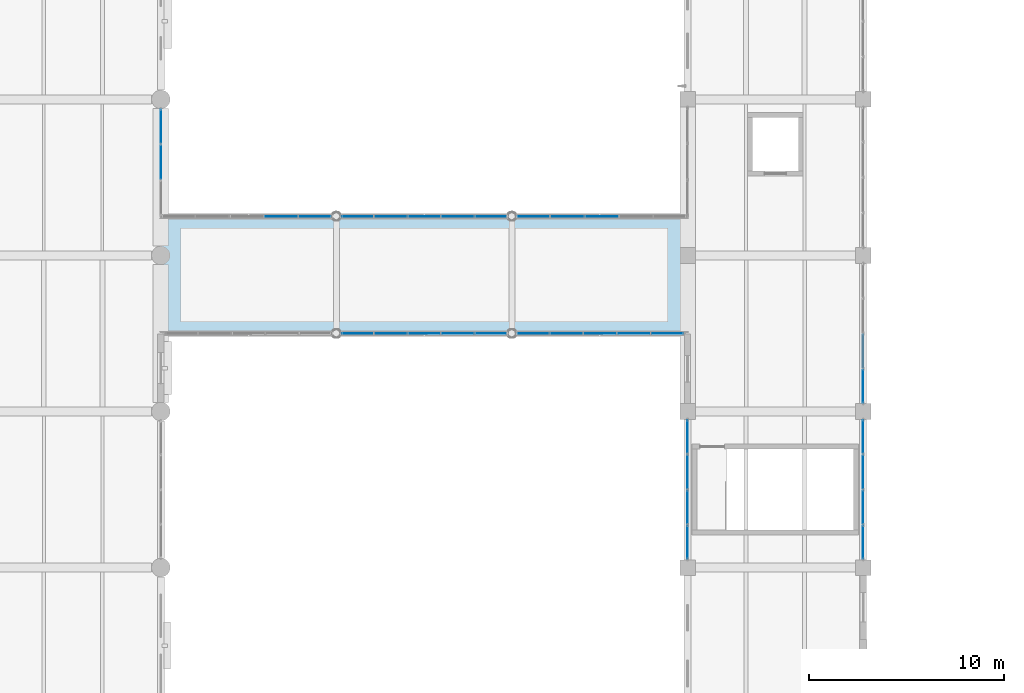
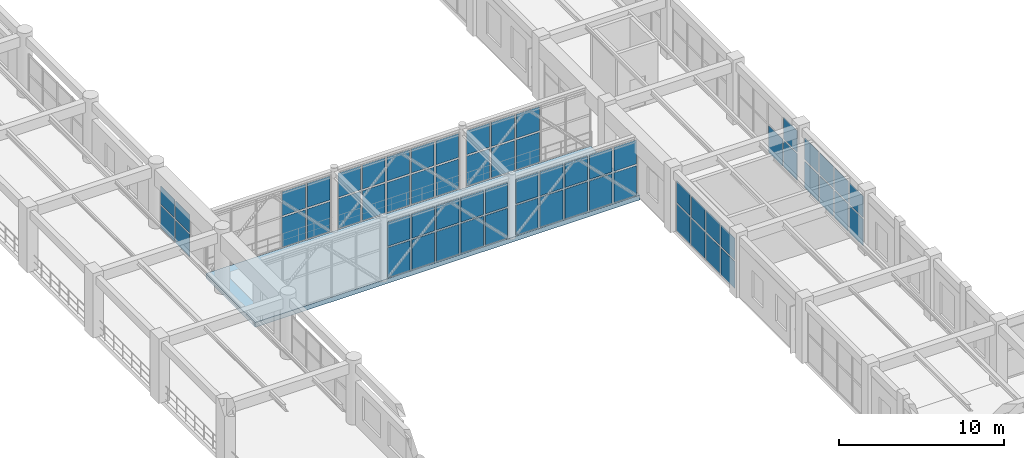
# One storey, part 143 of 178: 63 plates, 1 slab, 9 elements without a shape of their own.
"""IFC4 building model written with IfcOpenShell, lengths in metres."""

from ifc_helpers import new_model, si_unit, derived_unit, direction, frame, origin, origin_2d, place, context, subcontext, project, spatial, polyline, rectangle, outline, extrude, material, layer, layer_set, type_object, element, aggregate, save


model = new_model("IFC4")

# Units and contexts
model_context = context("Model", 3, precision=1e-05, world=origin(), true_north=direction((0.0, 1.0)))
body_context = subcontext(model_context, "Body", "Model", "MODEL_VIEW")
ifc_project = project(units=[si_unit("LENGTHUNIT", "METRE"), si_unit("AREAUNIT", "SQUARE_METRE"), si_unit("VOLUMEUNIT", "CUBIC_METRE"), si_unit("PLANEANGLEUNIT", "RADIAN"), si_unit("MASSUNIT", "GRAM", prefix="KILO"), derived_unit("THERMALTRANSMITTANCEUNIT", [(si_unit("MASSUNIT", "GRAM", prefix="KILO"), 1), (si_unit("TIMEUNIT", "SECOND"), -3), (si_unit("THERMODYNAMICTEMPERATUREUNIT", "KELVIN"), -1)])], contexts=[model_context])

# Site, building, storey
site_placement = place(None, origin())
site = spatial("IfcSite", under=ifc_project, at=site_placement, CompositionType="ELEMENT")
building_placement = place(site_placement, origin())
building = spatial("IfcBuilding", under=site, at=building_placement, Name="Zhenchuan Archway Interchange", CompositionType="ELEMENT")
storey_placement = place(building_placement, frame((0.0, 0.0, 5.39990234375)))
storey = spatial("IfcBuildingStorey", under=building, at=storey_placement, Name="L01", CompositionType="ELEMENT", Elevation=5.39990234375)

# Curtain wall, plates
ifc_material_1 = material(Name="Anodised Aluminium", Category="aluminium")
curtain_wall_type_1 = type_object("IfcCurtainWallType", Name="CW_UNIT_1", PredefinedType="NOTDEFINED", material=ifc_material_1)
curtain_wall_1_placement = place(storey_placement, origin())
curtain_wall_1 = element("IfcCurtainWall", 1, at=curtain_wall_1_placement, inside=storey, type_object=curtain_wall_type_1, Name="Unitised curtain wall CW:L01:056", PredefinedType="NOTDEFINED")
ifc_material_2 = material(Name="Double Low-E Insulated Glazing", Category="glass")
ifc_layer_1 = layer(ifc_material_2, 0.028076171875)
ifc_layer_set_1 = layer_set([ifc_layer_1], Name="Double Low-E Insulated Glazing")
plate_type_1 = type_object("IfcPlateType", Name="CW_GLZ_1", PredefinedType="CURTAIN_PANEL", material=ifc_layer_set_1)
plate_1_placement = place(storey_placement, frame((82.06640625, 58.0, 0.080078125), z_axis=(0.0, 0.0, 1.0), x_axis=(1.0, 0.0, 0.0)))
plate_1 = element("IfcPlate", 2, at=plate_1_placement, type_object=plate_type_1, Name="CW:L01:056 lower glazing panel 0", PredefinedType="CURTAIN_PANEL", context=body_context, shape_type="SweptSolid", body=[
    extrude(rectangle(XDim=1.561767578125, YDim=0.028076171875, at=origin_2d()), origin(), (0.0, 0.0, 1.0), 2.214111328125),
])
plate_2_placement = place(storey_placement, frame((83.7783203125, 58.0, 0.080078125), z_axis=(0.0, 0.0, 1.0), x_axis=(1.0, 0.0, 0.0)))
plate_2 = element("IfcPlate", 3, at=plate_2_placement, type_object=plate_type_1, Name="CW:L01:056 lower glazing panel 1", PredefinedType="CURTAIN_PANEL", context=body_context, shape_type="SweptSolid", body=[
    extrude(rectangle(XDim=1.581787109375, YDim=0.028076171875, at=origin_2d()), origin(), (0.0, 0.0, 1.0), 2.214111328125),
])
plate_3_placement = place(storey_placement, frame((85.5, 58.0, 0.080078125), z_axis=(0.0, 0.0, 1.0), x_axis=(1.0, 0.0, 0.0)))
plate_3 = element("IfcPlate", 4, at=plate_3_placement, type_object=plate_type_1, Name="CW:L01:056 lower glazing panel 2", PredefinedType="CURTAIN_PANEL", context=body_context, shape_type="SweptSolid", body=[
    extrude(rectangle(XDim=1.581787109375, YDim=0.028076171875, at=origin_2d()), origin(), (0.0, 0.0, 1.0), 2.214111328125),
])
plate_4_placement = place(storey_placement, frame((87.2216796875, 58.0, 0.080078125), z_axis=(0.0, 0.0, 1.0), x_axis=(1.0, 0.0, 0.0)))
plate_4 = element("IfcPlate", 5, at=plate_4_placement, type_object=plate_type_1, Name="CW:L01:056 lower glazing panel 3", PredefinedType="CURTAIN_PANEL", context=body_context, shape_type="SweptSolid", body=[
    extrude(rectangle(XDim=1.581787109375, YDim=0.028076171875, at=origin_2d()), origin(), (0.0, 0.0, 1.0), 2.214111328125),
])
plate_5_placement = place(storey_placement, frame((88.93359375, 58.0, 0.080078125), z_axis=(0.0, 0.0, 1.0), x_axis=(1.0, 0.0, 0.0)))
plate_5 = element("IfcPlate", 6, at=plate_5_placement, type_object=plate_type_1, Name="CW:L01:056 lower glazing panel 4", PredefinedType="CURTAIN_PANEL", context=body_context, shape_type="SweptSolid", body=[
    extrude(rectangle(XDim=1.561767578125, YDim=0.028076171875, at=origin_2d()), origin(), (0.0, 0.0, 1.0), 2.214111328125),
])

curtain_wall_type_2 = type_object("IfcCurtainWallType", Name="CW_UNIT_4", PredefinedType="NOTDEFINED", material=ifc_material_1)
curtain_wall_2_placement = place(storey_placement, origin())
curtain_wall_2 = element("IfcCurtainWall", 7, at=curtain_wall_2_placement, inside=storey, type_object=curtain_wall_type_2, Name="Unitised curtain wall CW:L01:075", PredefinedType="NOTDEFINED")
plate_6_placement = place(storey_placement, frame((97.965576171875, 52.0, 0.080078125), z_axis=(0.0, 0.0, 1.0), x_axis=(-1.0, 0.0, 0.0)))
plate_6 = element("IfcPlate", 8, at=plate_6_placement, type_object=plate_type_1, Name="CW:L01:075 lower glazing panel 0", PredefinedType="CURTAIN_PANEL", context=body_context, shape_type="SweptSolid", body=[
    extrude(rectangle(XDim=1.56884765625, YDim=0.028076171875, at=origin_2d()), origin(), (0.0, 0.0, 1.0), 2.214111328125),
])
plate_7_placement = place(storey_placement, frame((96.24658203125, 52.0, 0.080078125), z_axis=(0.0, 0.0, 1.0), x_axis=(-1.0, 0.0, 0.0)))
plate_7 = element("IfcPlate", 9, at=plate_7_placement, type_object=plate_type_1, Name="CW:L01:075 lower glazing panel 1", PredefinedType="CURTAIN_PANEL", context=body_context, shape_type="SweptSolid", body=[
    extrude(rectangle(XDim=1.5888671875, YDim=0.028076171875, at=origin_2d()), origin(), (0.0, 0.0, 1.0), 2.214111328125),
])
plate_8_placement = place(storey_placement, frame((94.517578125, 52.0, 0.080078125), z_axis=(0.0, 0.0, 1.0), x_axis=(-1.0, 0.0, 0.0)))
plate_8 = element("IfcPlate", 10, at=plate_8_placement, type_object=plate_type_1, Name="CW:L01:075 lower glazing panel 2", PredefinedType="CURTAIN_PANEL", context=body_context, shape_type="SweptSolid", body=[
    extrude(rectangle(XDim=1.5888671875, YDim=0.028076171875, at=origin_2d()), origin(), (0.0, 0.0, 1.0), 2.214111328125),
])
plate_9_placement = place(storey_placement, frame((92.788818359375, 52.0, 0.080078125), z_axis=(0.0, 0.0, 1.0), x_axis=(-1.0, 0.0, 0.0)))
plate_9 = element("IfcPlate", 11, at=plate_9_placement, type_object=plate_type_1, Name="CW:L01:075 lower glazing panel 3", PredefinedType="CURTAIN_PANEL", context=body_context, shape_type="SweptSolid", body=[
    extrude(rectangle(XDim=1.5888671875, YDim=0.028076171875, at=origin_2d()), origin(), (0.0, 0.0, 1.0), 2.214111328125),
])
plate_10_placement = place(storey_placement, frame((91.06982421875, 52.0, 0.080078125), z_axis=(0.0, 0.0, 1.0), x_axis=(-1.0, 0.0, 0.0)))
plate_10 = element("IfcPlate", 12, at=plate_10_placement, type_object=plate_type_1, Name="CW:L01:075 lower glazing panel 4", PredefinedType="CURTAIN_PANEL", context=body_context, shape_type="SweptSolid", body=[
    extrude(rectangle(XDim=1.56884765625, YDim=0.028076171875, at=origin_2d()), origin(), (0.0, 0.0, 1.0), 2.214111328125),
])

curtain_wall_3_placement = place(storey_placement, origin())
curtain_wall_3 = element("IfcCurtainWall", 13, at=curtain_wall_3_placement, inside=storey, type_object=curtain_wall_type_1, Name="Unitised curtain wall CW:L01:076", PredefinedType="NOTDEFINED")
plate_11_placement = place(storey_placement, frame((88.93359375, 52.0, 0.080078125), z_axis=(0.0, 0.0, 1.0), x_axis=(-1.0, 0.0, 0.0)))
plate_11 = element("IfcPlate", 14, at=plate_11_placement, type_object=plate_type_1, Name="CW:L01:076 lower glazing panel 0", PredefinedType="CURTAIN_PANEL", context=body_context, shape_type="SweptSolid", body=[
    extrude(rectangle(XDim=1.561767578125, YDim=0.028076171875, at=origin_2d()), origin(), (0.0, 0.0, 1.0), 2.214111328125),
])
plate_12_placement = place(storey_placement, frame((87.2216796875, 52.0, 0.080078125), z_axis=(0.0, 0.0, 1.0), x_axis=(-1.0, 0.0, 0.0)))
plate_12 = element("IfcPlate", 15, at=plate_12_placement, type_object=plate_type_1, Name="CW:L01:076 lower glazing panel 1", PredefinedType="CURTAIN_PANEL", context=body_context, shape_type="SweptSolid", body=[
    extrude(rectangle(XDim=1.581787109375, YDim=0.028076171875, at=origin_2d()), origin(), (0.0, 0.0, 1.0), 2.214111328125),
])
plate_13_placement = place(storey_placement, frame((85.5, 52.0, 0.080078125), z_axis=(0.0, 0.0, 1.0), x_axis=(-1.0, 0.0, 0.0)))
plate_13 = element("IfcPlate", 16, at=plate_13_placement, type_object=plate_type_1, Name="CW:L01:076 lower glazing panel 2", PredefinedType="CURTAIN_PANEL", context=body_context, shape_type="SweptSolid", body=[
    extrude(rectangle(XDim=1.581787109375, YDim=0.028076171875, at=origin_2d()), origin(), (0.0, 0.0, 1.0), 2.214111328125),
])
plate_14_placement = place(storey_placement, frame((83.7783203125, 52.0, 0.080078125), z_axis=(0.0, 0.0, 1.0), x_axis=(-1.0, 0.0, 0.0)))
plate_14 = element("IfcPlate", 17, at=plate_14_placement, type_object=plate_type_1, Name="CW:L01:076 lower glazing panel 3", PredefinedType="CURTAIN_PANEL", context=body_context, shape_type="SweptSolid", body=[
    extrude(rectangle(XDim=1.581787109375, YDim=0.028076171875, at=origin_2d()), origin(), (0.0, 0.0, 1.0), 2.214111328125),
])
plate_15_placement = place(storey_placement, frame((82.06640625, 52.0, 0.080078125), z_axis=(0.0, 0.0, 1.0), x_axis=(-1.0, 0.0, 0.0)))
plate_15 = element("IfcPlate", 18, at=plate_15_placement, type_object=plate_type_1, Name="CW:L01:076 lower glazing panel 4", PredefinedType="CURTAIN_PANEL", context=body_context, shape_type="SweptSolid", body=[
    extrude(rectangle(XDim=1.561767578125, YDim=0.028076171875, at=origin_2d()), origin(), (0.0, 0.0, 1.0), 2.214111328125),
])

# Plate
ifc_layer_2 = layer(ifc_material_2, 0.02587890625)
ifc_layer_set_2 = layer_set([ifc_layer_2], Name="Double Low-E Insulated Glazing")
plate_type_2 = type_object("IfcPlateType", Name="CW_GLZ_2", PredefinedType="CURTAIN_PANEL", material=ifc_layer_set_2)
plate_16_placement = place(storey_placement, frame((82.06640625, 58.0, 2.4140625), z_axis=(0.0, 0.0, 1.0), x_axis=(1.0, 0.0, 0.0)))
plate_16 = element("IfcPlate", 19, at=plate_16_placement, type_object=plate_type_2, Name="CW:L01:056 upper glazing panel 0", PredefinedType="CURTAIN_PANEL", context=body_context, shape_type="SweptSolid", body=[
    extrude(rectangle(XDim=1.561767578125, YDim=0.02587890625, at=origin_2d()), origin(), (0.0, 0.0, 1.0), 1.785888671875),
])

plate_17_placement = place(storey_placement, frame((83.7783203125, 58.0, 2.4140625), z_axis=(0.0, 0.0, 1.0), x_axis=(1.0, 0.0, 0.0)))
plate_17 = element("IfcPlate", 20, at=plate_17_placement, type_object=plate_type_2, Name="CW:L01:056 upper glazing panel 1", PredefinedType="CURTAIN_PANEL", context=body_context, shape_type="SweptSolid", body=[
    extrude(rectangle(XDim=1.581787109375, YDim=0.02587890625, at=origin_2d()), origin(), (0.0, 0.0, 1.0), 1.785888671875),
])

plate_18_placement = place(storey_placement, frame((85.5, 58.0, 2.4140625), z_axis=(0.0, 0.0, 1.0), x_axis=(1.0, 0.0, 0.0)))
plate_18 = element("IfcPlate", 21, at=plate_18_placement, type_object=plate_type_2, Name="CW:L01:056 upper glazing panel 2", PredefinedType="CURTAIN_PANEL", context=body_context, shape_type="SweptSolid", body=[
    extrude(rectangle(XDim=1.581787109375, YDim=0.02587890625, at=origin_2d()), origin(), (0.0, 0.0, 1.0), 1.785888671875),
])

plate_19_placement = place(storey_placement, frame((87.2216796875, 58.0, 2.4140625), z_axis=(0.0, 0.0, 1.0), x_axis=(1.0, 0.0, 0.0)))
plate_19 = element("IfcPlate", 22, at=plate_19_placement, type_object=plate_type_2, Name="CW:L01:056 upper glazing panel 3", PredefinedType="CURTAIN_PANEL", context=body_context, shape_type="SweptSolid", body=[
    extrude(rectangle(XDim=1.581787109375, YDim=0.02587890625, at=origin_2d()), origin(), (0.0, 0.0, 1.0), 1.785888671875),
])

plate_20_placement = place(storey_placement, frame((88.93359375, 58.0, 2.4140625), z_axis=(0.0, 0.0, 1.0), x_axis=(1.0, 0.0, 0.0)))
plate_20 = element("IfcPlate", 23, at=plate_20_placement, type_object=plate_type_2, Name="CW:L01:056 upper glazing panel 4", PredefinedType="CURTAIN_PANEL", context=body_context, shape_type="SweptSolid", body=[
    extrude(rectangle(XDim=1.561767578125, YDim=0.02587890625, at=origin_2d()), origin(), (0.0, 0.0, 1.0), 1.785888671875),
])

aggregate(curtain_wall_1, [plate_1, plate_16, plate_2, plate_17, plate_3, plate_18, plate_4, plate_19, plate_5, plate_20])

plate_21_placement = place(storey_placement, frame((97.965576171875, 52.0, 2.4140625), z_axis=(0.0, 0.0, 1.0), x_axis=(-1.0, 0.0, 0.0)))
plate_21 = element("IfcPlate", 24, at=plate_21_placement, type_object=plate_type_2, Name="CW:L01:075 upper glazing panel 0", PredefinedType="CURTAIN_PANEL", context=body_context, shape_type="SweptSolid", body=[
    extrude(rectangle(XDim=1.56884765625, YDim=0.02587890625, at=origin_2d()), origin(), (0.0, 0.0, 1.0), 1.785888671875),
])

plate_22_placement = place(storey_placement, frame((96.24658203125, 52.0, 2.4140625), z_axis=(0.0, 0.0, 1.0), x_axis=(-1.0, 0.0, 0.0)))
plate_22 = element("IfcPlate", 25, at=plate_22_placement, type_object=plate_type_2, Name="CW:L01:075 upper glazing panel 1", PredefinedType="CURTAIN_PANEL", context=body_context, shape_type="SweptSolid", body=[
    extrude(rectangle(XDim=1.5888671875, YDim=0.02587890625, at=origin_2d()), origin(), (0.0, 0.0, 1.0), 1.785888671875),
])

plate_23_placement = place(storey_placement, frame((94.517578125, 52.0, 2.4140625), z_axis=(0.0, 0.0, 1.0), x_axis=(-1.0, 0.0, 0.0)))
plate_23 = element("IfcPlate", 26, at=plate_23_placement, type_object=plate_type_2, Name="CW:L01:075 upper glazing panel 2", PredefinedType="CURTAIN_PANEL", context=body_context, shape_type="SweptSolid", body=[
    extrude(rectangle(XDim=1.5888671875, YDim=0.02587890625, at=origin_2d()), origin(), (0.0, 0.0, 1.0), 1.785888671875),
])

plate_24_placement = place(storey_placement, frame((92.788818359375, 52.0, 2.4140625), z_axis=(0.0, 0.0, 1.0), x_axis=(-1.0, 0.0, 0.0)))
plate_24 = element("IfcPlate", 27, at=plate_24_placement, type_object=plate_type_2, Name="CW:L01:075 upper glazing panel 3", PredefinedType="CURTAIN_PANEL", context=body_context, shape_type="SweptSolid", body=[
    extrude(rectangle(XDim=1.5888671875, YDim=0.02587890625, at=origin_2d()), origin(), (0.0, 0.0, 1.0), 1.785888671875),
])

plate_25_placement = place(storey_placement, frame((91.06982421875, 52.0, 2.4140625), z_axis=(0.0, 0.0, 1.0), x_axis=(-1.0, 0.0, 0.0)))
plate_25 = element("IfcPlate", 28, at=plate_25_placement, type_object=plate_type_2, Name="CW:L01:075 upper glazing panel 4", PredefinedType="CURTAIN_PANEL", context=body_context, shape_type="SweptSolid", body=[
    extrude(rectangle(XDim=1.56884765625, YDim=0.02587890625, at=origin_2d()), origin(), (0.0, 0.0, 1.0), 1.785888671875),
])

aggregate(curtain_wall_2, [plate_6, plate_21, plate_7, plate_22, plate_8, plate_23, plate_9, plate_24, plate_10, plate_25])

plate_26_placement = place(storey_placement, frame((88.93359375, 52.0, 2.4140625), z_axis=(0.0, 0.0, 1.0), x_axis=(-1.0, 0.0, 0.0)))
plate_26 = element("IfcPlate", 29, at=plate_26_placement, type_object=plate_type_2, Name="CW:L01:076 upper glazing panel 0", PredefinedType="CURTAIN_PANEL", context=body_context, shape_type="SweptSolid", body=[
    extrude(rectangle(XDim=1.561767578125, YDim=0.02587890625, at=origin_2d()), origin(), (0.0, 0.0, 1.0), 1.785888671875),
])

plate_27_placement = place(storey_placement, frame((87.2216796875, 52.0, 2.4140625), z_axis=(0.0, 0.0, 1.0), x_axis=(-1.0, 0.0, 0.0)))
plate_27 = element("IfcPlate", 30, at=plate_27_placement, type_object=plate_type_2, Name="CW:L01:076 upper glazing panel 1", PredefinedType="CURTAIN_PANEL", context=body_context, shape_type="SweptSolid", body=[
    extrude(rectangle(XDim=1.581787109375, YDim=0.02587890625, at=origin_2d()), origin(), (0.0, 0.0, 1.0), 1.785888671875),
])

plate_28_placement = place(storey_placement, frame((85.5, 52.0, 2.4140625), z_axis=(0.0, 0.0, 1.0), x_axis=(-1.0, 0.0, 0.0)))
plate_28 = element("IfcPlate", 31, at=plate_28_placement, type_object=plate_type_2, Name="CW:L01:076 upper glazing panel 2", PredefinedType="CURTAIN_PANEL", context=body_context, shape_type="SweptSolid", body=[
    extrude(rectangle(XDim=1.581787109375, YDim=0.02587890625, at=origin_2d()), origin(), (0.0, 0.0, 1.0), 1.785888671875),
])

plate_29_placement = place(storey_placement, frame((83.7783203125, 52.0, 2.4140625), z_axis=(0.0, 0.0, 1.0), x_axis=(-1.0, 0.0, 0.0)))
plate_29 = element("IfcPlate", 32, at=plate_29_placement, type_object=plate_type_2, Name="CW:L01:076 upper glazing panel 3", PredefinedType="CURTAIN_PANEL", context=body_context, shape_type="SweptSolid", body=[
    extrude(rectangle(XDim=1.581787109375, YDim=0.02587890625, at=origin_2d()), origin(), (0.0, 0.0, 1.0), 1.785888671875),
])

plate_30_placement = place(storey_placement, frame((82.06640625, 52.0, 2.4140625), z_axis=(0.0, 0.0, 1.0), x_axis=(-1.0, 0.0, 0.0)))
plate_30 = element("IfcPlate", 33, at=plate_30_placement, type_object=plate_type_2, Name="CW:L01:076 upper glazing panel 4", PredefinedType="CURTAIN_PANEL", context=body_context, shape_type="SweptSolid", body=[
    extrude(rectangle(XDim=1.561767578125, YDim=0.02587890625, at=origin_2d()), origin(), (0.0, 0.0, 1.0), 1.785888671875),
])

aggregate(curtain_wall_3, [plate_11, plate_26, plate_12, plate_27, plate_13, plate_28, plate_14, plate_29, plate_15, plate_30])

# Curtain wall, plates
curtain_wall_type_3 = type_object("IfcCurtainWallType", Name="CW_UNIT_3", PredefinedType="NOTDEFINED", material=ifc_material_1)
curtain_wall_4_placement = place(storey_placement, origin())
curtain_wall_4 = element("IfcCurtainWall", 34, at=curtain_wall_4_placement, inside=storey, type_object=curtain_wall_type_3, Name="Unitised curtain wall CW:L01:054", PredefinedType="NOTDEFINED")
ifc_layer_3 = layer(ifc_material_2, 0.030029296875)
ifc_layer_set_3 = layer_set([ifc_layer_3], Name="Double Low-E Insulated Glazing")
plate_type_3 = type_object("IfcPlateType", Name="CW_GLZ_3", PredefinedType="CURTAIN_PANEL", material=ifc_layer_set_3)
plate_31_placement = place(storey_placement, frame((72.0, 62.62158203125, 0.080078125), z_axis=(0.0, 0.0, 1.0), x_axis=(0.0, -1.0, 0.0)))
plate_31 = element("IfcPlate", 35, at=plate_31_placement, type_object=plate_type_3, Name="CW:L01:054 lower glazing panel 0", PredefinedType="CURTAIN_PANEL", context=body_context, shape_type="SweptSolid", body=[
    extrude(rectangle(XDim=1.692626953125, YDim=0.028076171875, at=origin_2d()), origin(), (0.0, 0.0, 1.0), 1.653076171875),
])
plate_32_placement = place(storey_placement, frame((72.0, 60.779052734375, 0.080078125), z_axis=(0.0, 0.0, 1.0), x_axis=(0.0, -1.0, 0.0)))
plate_32 = element("IfcPlate", 36, at=plate_32_placement, type_object=plate_type_3, Name="CW:L01:054 lower glazing panel 1", PredefinedType="CURTAIN_PANEL", context=body_context, shape_type="SweptSolid", body=[
    extrude(rectangle(XDim=1.712646484375, YDim=0.028076171875, at=origin_2d()), origin(), (0.0, 0.0, 1.0), 1.653076171875),
])

curtain_wall_5_placement = place(storey_placement, origin())
curtain_wall_5 = element("IfcCurtainWall", 37, at=curtain_wall_5_placement, inside=storey, type_object=curtain_wall_type_2, Name="Unitised curtain wall CW:L01:055", PredefinedType="NOTDEFINED")
plate_33_placement = place(storey_placement, frame((78.1630859375, 58.0, 0.080078125), z_axis=(0.0, 0.0, 1.0), x_axis=(1.0, 0.0, 0.0)))
plate_33 = element("IfcPlate", 38, at=plate_33_placement, type_object=plate_type_3, Name="CW:L01:055 lower glazing panel 3", PredefinedType="CURTAIN_PANEL", context=body_context, shape_type="SweptSolid", body=[
    extrude(rectangle(XDim=1.620849609375, YDim=0.028076171875, at=origin_2d()), origin(), (0.0, 0.0, 1.0), 2.214111328125),
])
plate_34_placement = place(storey_placement, frame((79.9140625, 58.0, 0.080078125), z_axis=(0.0, 0.0, 1.0), x_axis=(1.0, 0.0, 0.0)))
plate_34 = element("IfcPlate", 39, at=plate_34_placement, type_object=plate_type_3, Name="CW:L01:055 lower glazing panel 4", PredefinedType="CURTAIN_PANEL", context=body_context, shape_type="SweptSolid", body=[
    extrude(rectangle(XDim=1.600830078125, YDim=0.028076171875, at=origin_2d()), origin(), (0.0, 0.0, 1.0), 2.214111328125),
])

curtain_wall_type_4 = type_object("IfcCurtainWallType", Name="CW_UNIT_2", PredefinedType="NOTDEFINED", material=ifc_material_1)
curtain_wall_6_placement = place(storey_placement, origin())
curtain_wall_6 = element("IfcCurtainWall", 40, at=curtain_wall_6_placement, inside=storey, type_object=curtain_wall_type_4, Name="Unitised curtain wall CW:L01:057", PredefinedType="NOTDEFINED")
plate_35_placement = place(storey_placement, frame((91.0859375, 58.0, 0.080078125), z_axis=(0.0, 0.0, 1.0), x_axis=(1.0, 0.0, 0.0)))
plate_35 = element("IfcPlate", 41, at=plate_35_placement, type_object=plate_type_3, Name="CW:L01:057 lower glazing panel 0", PredefinedType="CURTAIN_PANEL", context=body_context, shape_type="SweptSolid", body=[
    extrude(rectangle(XDim=1.600830078125, YDim=0.028076171875, at=origin_2d()), origin(), (0.0, 0.0, 1.0), 2.214111328125),
])
plate_36_placement = place(storey_placement, frame((92.8369140625, 58.0, 0.080078125), z_axis=(0.0, 0.0, 1.0), x_axis=(1.0, 0.0, 0.0)))
plate_36 = element("IfcPlate", 42, at=plate_36_placement, type_object=plate_type_3, Name="CW:L01:057 lower glazing panel 1", PredefinedType="CURTAIN_PANEL", context=body_context, shape_type="SweptSolid", body=[
    extrude(rectangle(XDim=1.620849609375, YDim=0.028076171875, at=origin_2d()), origin(), (0.0, 0.0, 1.0), 2.214111328125),
])
plate_37_placement = place(storey_placement, frame((94.59765625, 58.0, 0.080078125), z_axis=(0.0, 0.0, 1.0), x_axis=(1.0, 0.0, 0.0)))
plate_37 = element("IfcPlate", 43, at=plate_37_placement, type_object=plate_type_3, Name="CW:L01:057 lower glazing panel 2", PredefinedType="CURTAIN_PANEL", context=body_context, shape_type="SweptSolid", body=[
    extrude(rectangle(XDim=1.620849609375, YDim=0.028076171875, at=origin_2d()), origin(), (0.0, 0.0, 1.0), 2.214111328125),
])

curtain_wall_7_placement = place(storey_placement, origin())
curtain_wall_7 = element("IfcCurtainWall", 44, at=curtain_wall_7_placement, inside=storey, type_object=curtain_wall_type_3, Name="Unitised curtain wall CW:L01:074", PredefinedType="NOTDEFINED")
plate_38_placement = place(storey_placement, frame((99.0, 41.285888671875, 0.080078125), z_axis=(0.0, 0.0, 1.0), x_axis=(0.0, 1.0, 0.0)))
plate_38 = element("IfcPlate", 45, at=plate_38_placement, type_object=plate_type_3, Name="CW:L01:074 lower glazing panel 0", PredefinedType="CURTAIN_PANEL", context=body_context, shape_type="SweptSolid", body=[
    extrude(rectangle(XDim=1.656005859375, YDim=0.028076171875, at=origin_2d()), origin(), (0.0, 0.0, 1.0), 1.98291015625),
])
plate_39_placement = place(storey_placement, frame((99.0, 43.092041015625, 0.080078125), z_axis=(0.0, 0.0, 1.0), x_axis=(0.0, 1.0, 0.0)))
plate_39 = element("IfcPlate", 46, at=plate_39_placement, type_object=plate_type_3, Name="CW:L01:074 lower glazing panel 1", PredefinedType="CURTAIN_PANEL", context=body_context, shape_type="SweptSolid", body=[
    extrude(rectangle(XDim=1.676025390625, YDim=0.028076171875, at=origin_2d()), origin(), (0.0, 0.0, 1.0), 1.98291015625),
])
plate_40_placement = place(storey_placement, frame((99.0, 44.907958984375, 0.080078125), z_axis=(0.0, 0.0, 1.0), x_axis=(0.0, 1.0, 0.0)))
plate_40 = element("IfcPlate", 47, at=plate_40_placement, type_object=plate_type_3, Name="CW:L01:074 lower glazing panel 2", PredefinedType="CURTAIN_PANEL", context=body_context, shape_type="SweptSolid", body=[
    extrude(rectangle(XDim=1.676025390625, YDim=0.028076171875, at=origin_2d()), origin(), (0.0, 0.0, 1.0), 1.98291015625),
])
plate_41_placement = place(storey_placement, frame((99.0, 46.714111328125, 0.080078125), z_axis=(0.0, 0.0, 1.0), x_axis=(0.0, 1.0, 0.0)))
plate_41 = element("IfcPlate", 48, at=plate_41_placement, type_object=plate_type_3, Name="CW:L01:074 lower glazing panel 3", PredefinedType="CURTAIN_PANEL", context=body_context, shape_type="SweptSolid", body=[
    extrude(rectangle(XDim=1.656005859375, YDim=0.028076171875, at=origin_2d()), origin(), (0.0, 0.0, 1.0), 1.98291015625),
])

curtain_wall_8_placement = place(storey_placement, origin())
curtain_wall_8 = element("IfcCurtainWall", 49, at=curtain_wall_8_placement, inside=storey, type_object=curtain_wall_type_1, Name="Unitised curtain wall CW:L01:100", PredefinedType="NOTDEFINED")
plate_42_placement = place(storey_placement, frame((108.0, 51.092041015625, 0.080078125), z_axis=(0.0, 0.0, 1.0), x_axis=(0.0, -1.0, 0.0)))
plate_42 = element("IfcPlate", 50, at=plate_42_placement, type_object=plate_type_3, Name="CW:L01:100 lower glazing panel 2", PredefinedType="CURTAIN_PANEL", context=body_context, shape_type="SweptSolid", body=[
    extrude(rectangle(XDim=1.676025390625, YDim=0.028076171875, at=origin_2d()), origin(), (0.0, 0.0, 1.0), 1.98291015625),
])
plate_43_placement = place(storey_placement, frame((108.0, 49.285888671875, 0.080078125), z_axis=(0.0, 0.0, 1.0), x_axis=(0.0, -1.0, 0.0)))
plate_43 = element("IfcPlate", 51, at=plate_43_placement, type_object=plate_type_3, Name="CW:L01:100 lower glazing panel 3", PredefinedType="CURTAIN_PANEL", context=body_context, shape_type="SweptSolid", body=[
    extrude(rectangle(XDim=1.656005859375, YDim=0.028076171875, at=origin_2d()), origin(), (0.0, 0.0, 1.0), 1.98291015625),
])

curtain_wall_9_placement = place(storey_placement, origin())
curtain_wall_9 = element("IfcCurtainWall", 52, at=curtain_wall_9_placement, inside=storey, type_object=curtain_wall_type_4, Name="Unitised curtain wall CW:L01:101", PredefinedType="NOTDEFINED")
plate_44_placement = place(storey_placement, frame((108.0, 46.714111328125, 0.080078125), z_axis=(0.0, 0.0, 1.0), x_axis=(0.0, -1.0, 0.0)))
plate_44 = element("IfcPlate", 53, at=plate_44_placement, type_object=plate_type_3, Name="CW:L01:101 lower glazing panel 0", PredefinedType="CURTAIN_PANEL", context=body_context, shape_type="SweptSolid", body=[
    extrude(rectangle(XDim=1.656005859375, YDim=0.028076171875, at=origin_2d()), origin(), (0.0, 0.0, 1.0), 1.98291015625),
])
plate_45_placement = place(storey_placement, frame((108.0, 44.907958984375, 0.080078125), z_axis=(0.0, 0.0, 1.0), x_axis=(0.0, -1.0, 0.0)))
plate_45 = element("IfcPlate", 54, at=plate_45_placement, type_object=plate_type_3, Name="CW:L01:101 lower glazing panel 1", PredefinedType="CURTAIN_PANEL", context=body_context, shape_type="SweptSolid", body=[
    extrude(rectangle(XDim=1.676025390625, YDim=0.028076171875, at=origin_2d()), origin(), (0.0, 0.0, 1.0), 1.98291015625),
])
plate_46_placement = place(storey_placement, frame((108.0, 43.092041015625, 0.080078125), z_axis=(0.0, 0.0, 1.0), x_axis=(0.0, -1.0, 0.0)))
plate_46 = element("IfcPlate", 55, at=plate_46_placement, type_object=plate_type_3, Name="CW:L01:101 lower glazing panel 2", PredefinedType="CURTAIN_PANEL", context=body_context, shape_type="SweptSolid", body=[
    extrude(rectangle(XDim=1.676025390625, YDim=0.028076171875, at=origin_2d()), origin(), (0.0, 0.0, 1.0), 1.98291015625),
])
plate_47_placement = place(storey_placement, frame((108.0, 41.285888671875, 0.080078125), z_axis=(0.0, 0.0, 1.0), x_axis=(0.0, -1.0, 0.0)))
plate_47 = element("IfcPlate", 56, at=plate_47_placement, type_object=plate_type_3, Name="CW:L01:101 lower glazing panel 3", PredefinedType="CURTAIN_PANEL", context=body_context, shape_type="SweptSolid", body=[
    extrude(rectangle(XDim=1.656005859375, YDim=0.028076171875, at=origin_2d()), origin(), (0.0, 0.0, 1.0), 1.98291015625),
])

# Plate
ifc_layer_4 = layer(ifc_material_2, 0.02392578125)
ifc_layer_set_4 = layer_set([ifc_layer_4], Name="Double Low-E Insulated Glazing")
plate_type_4 = type_object("IfcPlateType", Name="CW_GLZ_4", PredefinedType="CURTAIN_PANEL", material=ifc_layer_set_4)
plate_48_placement = place(storey_placement, frame((72.0, 62.62158203125, 1.85302734375), z_axis=(0.0, 0.0, 1.0), x_axis=(0.0, -1.0, 0.0)))
plate_48 = element("IfcPlate", 57, at=plate_48_placement, type_object=plate_type_4, Name="CW:L01:054 upper glazing panel 0", PredefinedType="CURTAIN_PANEL", context=body_context, shape_type="SweptSolid", body=[
    extrude(rectangle(XDim=1.692626953125, YDim=0.02587890625, at=origin_2d()), origin(), (0.0, 0.0, 1.0), 1.326904296875),
])

plate_49_placement = place(storey_placement, frame((72.0, 60.779052734375, 1.85302734375), z_axis=(0.0, 0.0, 1.0), x_axis=(0.0, -1.0, 0.0)))
plate_49 = element("IfcPlate", 58, at=plate_49_placement, type_object=plate_type_4, Name="CW:L01:054 upper glazing panel 1", PredefinedType="CURTAIN_PANEL", context=body_context, shape_type="SweptSolid", body=[
    extrude(rectangle(XDim=1.712646484375, YDim=0.02587890625, at=origin_2d()), origin(), (0.0, 0.0, 1.0), 1.326904296875),
])

aggregate(curtain_wall_4, [plate_31, plate_48, plate_32, plate_49])

plate_50_placement = place(storey_placement, frame((78.1630859375, 58.0, 2.4140625), z_axis=(0.0, 0.0, 1.0), x_axis=(1.0, 0.0, 0.0)))
plate_50 = element("IfcPlate", 59, at=plate_50_placement, type_object=plate_type_4, Name="CW:L01:055 upper glazing panel 3", PredefinedType="CURTAIN_PANEL", context=body_context, shape_type="SweptSolid", body=[
    extrude(rectangle(XDim=1.620849609375, YDim=0.02587890625, at=origin_2d()), origin(), (0.0, 0.0, 1.0), 1.785888671875),
])

plate_51_placement = place(storey_placement, frame((79.9140625, 58.0, 2.4140625), z_axis=(0.0, 0.0, 1.0), x_axis=(1.0, 0.0, 0.0)))
plate_51 = element("IfcPlate", 60, at=plate_51_placement, type_object=plate_type_4, Name="CW:L01:055 upper glazing panel 4", PredefinedType="CURTAIN_PANEL", context=body_context, shape_type="SweptSolid", body=[
    extrude(rectangle(XDim=1.600830078125, YDim=0.02587890625, at=origin_2d()), origin(), (0.0, 0.0, 1.0), 1.785888671875),
])

aggregate(curtain_wall_5, [plate_33, plate_50, plate_34, plate_51])

plate_52_placement = place(storey_placement, frame((91.0859375, 58.0, 2.4140625), z_axis=(0.0, 0.0, 1.0), x_axis=(1.0, 0.0, 0.0)))
plate_52 = element("IfcPlate", 61, at=plate_52_placement, type_object=plate_type_4, Name="CW:L01:057 upper glazing panel 0", PredefinedType="CURTAIN_PANEL", context=body_context, shape_type="SweptSolid", body=[
    extrude(rectangle(XDim=1.600830078125, YDim=0.02587890625, at=origin_2d()), origin(), (0.0, 0.0, 1.0), 1.785888671875),
])

plate_53_placement = place(storey_placement, frame((92.8369140625, 58.0, 2.4140625), z_axis=(0.0, 0.0, 1.0), x_axis=(1.0, 0.0, 0.0)))
plate_53 = element("IfcPlate", 62, at=plate_53_placement, type_object=plate_type_4, Name="CW:L01:057 upper glazing panel 1", PredefinedType="CURTAIN_PANEL", context=body_context, shape_type="SweptSolid", body=[
    extrude(rectangle(XDim=1.620849609375, YDim=0.02587890625, at=origin_2d()), origin(), (0.0, 0.0, 1.0), 1.785888671875),
])

plate_54_placement = place(storey_placement, frame((94.59765625, 58.0, 2.4140625), z_axis=(0.0, 0.0, 1.0), x_axis=(1.0, 0.0, 0.0)))
plate_54 = element("IfcPlate", 63, at=plate_54_placement, type_object=plate_type_4, Name="CW:L01:057 upper glazing panel 2", PredefinedType="CURTAIN_PANEL", context=body_context, shape_type="SweptSolid", body=[
    extrude(rectangle(XDim=1.620849609375, YDim=0.02587890625, at=origin_2d()), origin(), (0.0, 0.0, 1.0), 1.785888671875),
])

aggregate(curtain_wall_6, [plate_35, plate_52, plate_36, plate_53, plate_37, plate_54])

plate_55_placement = place(storey_placement, frame((99.0, 41.285888671875, 2.18310546875), z_axis=(0.0, 0.0, 1.0), x_axis=(0.0, 1.0, 0.0)))
plate_55 = element("IfcPlate", 64, at=plate_55_placement, type_object=plate_type_4, Name="CW:L01:074 upper glazing panel 0", PredefinedType="CURTAIN_PANEL", context=body_context, shape_type="SweptSolid", body=[
    extrude(rectangle(XDim=1.656005859375, YDim=0.02587890625, at=origin_2d()), origin(), (0.0, 0.0, 1.0), 1.596923828125),
])

plate_56_placement = place(storey_placement, frame((99.0, 43.092041015625, 2.18310546875), z_axis=(0.0, 0.0, 1.0), x_axis=(0.0, 1.0, 0.0)))
plate_56 = element("IfcPlate", 65, at=plate_56_placement, type_object=plate_type_4, Name="CW:L01:074 upper glazing panel 1", PredefinedType="CURTAIN_PANEL", context=body_context, shape_type="SweptSolid", body=[
    extrude(rectangle(XDim=1.676025390625, YDim=0.02587890625, at=origin_2d()), origin(), (0.0, 0.0, 1.0), 1.596923828125),
])

plate_57_placement = place(storey_placement, frame((99.0, 44.907958984375, 2.18310546875), z_axis=(0.0, 0.0, 1.0), x_axis=(0.0, 1.0, 0.0)))
plate_57 = element("IfcPlate", 66, at=plate_57_placement, type_object=plate_type_4, Name="CW:L01:074 upper glazing panel 2", PredefinedType="CURTAIN_PANEL", context=body_context, shape_type="SweptSolid", body=[
    extrude(rectangle(XDim=1.676025390625, YDim=0.02587890625, at=origin_2d()), origin(), (0.0, 0.0, 1.0), 1.596923828125),
])

plate_58_placement = place(storey_placement, frame((99.0, 46.714111328125, 2.18310546875), z_axis=(0.0, 0.0, 1.0), x_axis=(0.0, 1.0, 0.0)))
plate_58 = element("IfcPlate", 67, at=plate_58_placement, type_object=plate_type_4, Name="CW:L01:074 upper glazing panel 3", PredefinedType="CURTAIN_PANEL", context=body_context, shape_type="SweptSolid", body=[
    extrude(rectangle(XDim=1.656005859375, YDim=0.02587890625, at=origin_2d()), origin(), (0.0, 0.0, 1.0), 1.596923828125),
])

aggregate(curtain_wall_7, [plate_38, plate_55, plate_39, plate_56, plate_40, plate_57, plate_41, plate_58])

plate_59_placement = place(storey_placement, frame((108.0, 49.285888671875, 2.18310546875), z_axis=(0.0, 0.0, 1.0), x_axis=(0.0, -1.0, 0.0)))
plate_59 = element("IfcPlate", 68, at=plate_59_placement, type_object=plate_type_4, Name="CW:L01:100 upper glazing panel 3", PredefinedType="CURTAIN_PANEL", context=body_context, shape_type="SweptSolid", body=[
    extrude(rectangle(XDim=1.656005859375, YDim=0.02587890625, at=origin_2d()), origin(), (0.0, 0.0, 1.0), 1.596923828125),
])

aggregate(curtain_wall_8, [plate_42, plate_43, plate_59])

plate_60_placement = place(storey_placement, frame((108.0, 46.714111328125, 2.18310546875), z_axis=(0.0, 0.0, 1.0), x_axis=(0.0, -1.0, 0.0)))
plate_60 = element("IfcPlate", 69, at=plate_60_placement, type_object=plate_type_4, Name="CW:L01:101 upper glazing panel 0", PredefinedType="CURTAIN_PANEL", context=body_context, shape_type="SweptSolid", body=[
    extrude(rectangle(XDim=1.656005859375, YDim=0.02587890625, at=origin_2d()), origin(), (0.0, 0.0, 1.0), 1.596923828125),
])

plate_61_placement = place(storey_placement, frame((108.0, 44.907958984375, 2.18310546875), z_axis=(0.0, 0.0, 1.0), x_axis=(0.0, -1.0, 0.0)))
plate_61 = element("IfcPlate", 70, at=plate_61_placement, type_object=plate_type_4, Name="CW:L01:101 upper glazing panel 1", PredefinedType="CURTAIN_PANEL", context=body_context, shape_type="SweptSolid", body=[
    extrude(rectangle(XDim=1.676025390625, YDim=0.02587890625, at=origin_2d()), origin(), (0.0, 0.0, 1.0), 1.596923828125),
])

plate_62_placement = place(storey_placement, frame((108.0, 43.092041015625, 2.18310546875), z_axis=(0.0, 0.0, 1.0), x_axis=(0.0, -1.0, 0.0)))
plate_62 = element("IfcPlate", 71, at=plate_62_placement, type_object=plate_type_4, Name="CW:L01:101 upper glazing panel 2", PredefinedType="CURTAIN_PANEL", context=body_context, shape_type="SweptSolid", body=[
    extrude(rectangle(XDim=1.676025390625, YDim=0.02587890625, at=origin_2d()), origin(), (0.0, 0.0, 1.0), 1.596923828125),
])

plate_63_placement = place(storey_placement, frame((108.0, 41.285888671875, 2.18310546875), z_axis=(0.0, 0.0, 1.0), x_axis=(0.0, -1.0, 0.0)))
plate_63 = element("IfcPlate", 72, at=plate_63_placement, type_object=plate_type_4, Name="CW:L01:101 upper glazing panel 3", PredefinedType="CURTAIN_PANEL", context=body_context, shape_type="SweptSolid", body=[
    extrude(rectangle(XDim=1.656005859375, YDim=0.02587890625, at=origin_2d()), origin(), (0.0, 0.0, 1.0), 1.596923828125),
])

aggregate(curtain_wall_9, [plate_44, plate_60, plate_45, plate_61, plate_46, plate_62, plate_47, plate_63])

# Slab
ifc_material_3 = material(Name="Concrete C40", Category="concrete")
ifc_layer_5 = layer(ifc_material_3, 0.35009765625)
ifc_layer_set_5 = layer_set([ifc_layer_5], Name="Concrete C40")
slab_type = type_object("IfcSlabType", Name="SLB_FLR_350", PredefinedType="FLOOR", material=ifc_layer_set_5)
slab_placement = place(storey_placement, frame((0.0, 0.0, -0.349853515625)))
element("IfcSlab", 73, at=slab_placement, inside=storey, type_object=slab_type, Name="Structural slab L01 BRG", PredefinedType="FLOOR", context=body_context, shape_type="SweptSolid", body=[
    extrude(outline(polyline([(99.0, 52.0), (99.0, 58.0), (72.0, 58.0), (72.0, 52.0), (99.0, 52.0)])), origin(), (0.0, 0.0, 1.0), 0.349853515625),
])

save(model, "model.ifc")
